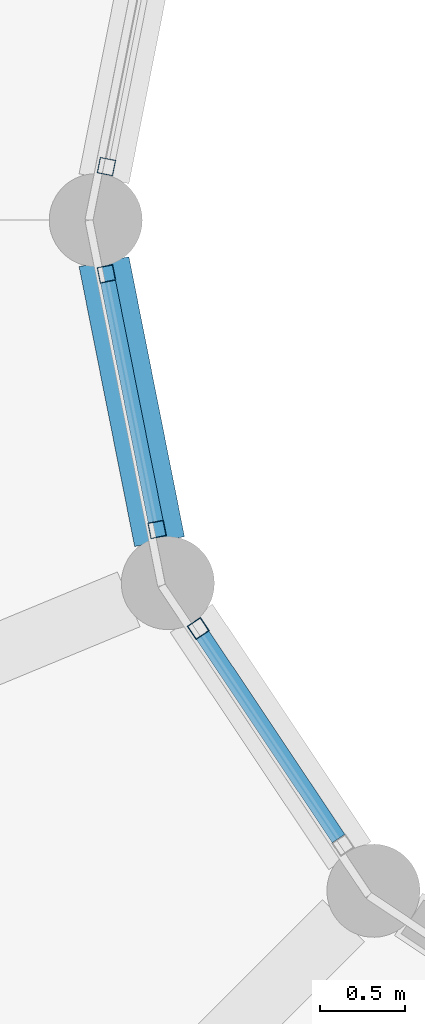
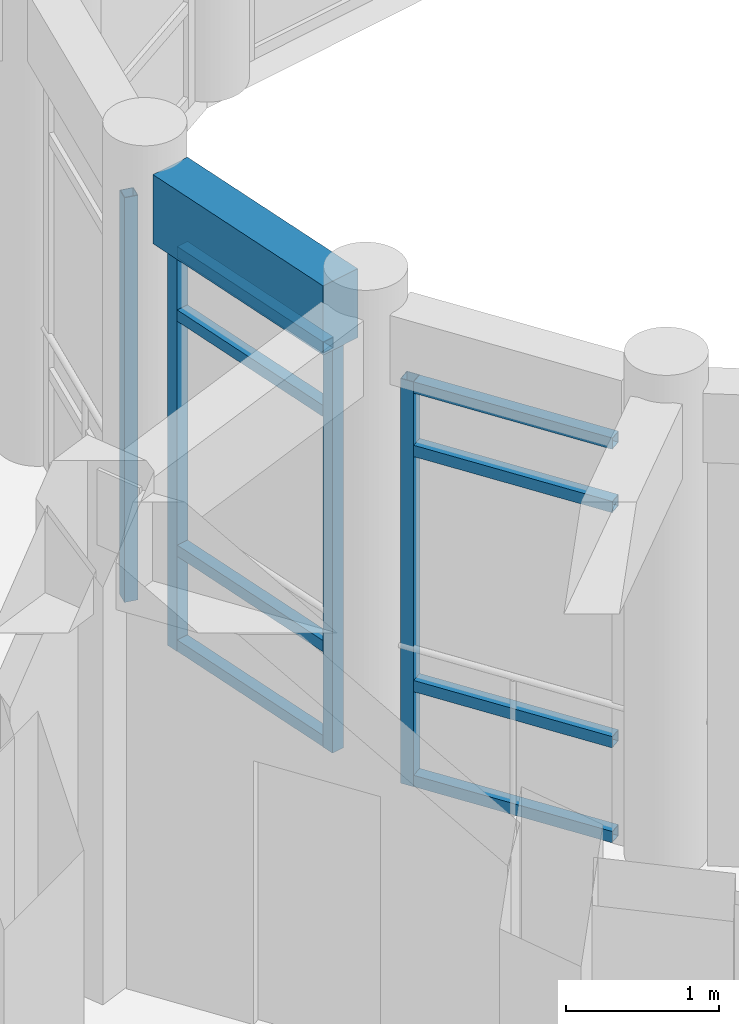
# One storey, part 53 of 159: 12 members, 1 beam, 3 elements without a shape of their own.
"""IFC4 building model written with IfcOpenShell, lengths in metres."""

from ifc_helpers import new_model, si_unit, direction, frame, origin, origin_2d, place, context, subcontext, project, spatial, rectangle, hollow_rectangle, extrude, material, material_profile, profile_set, type_object, element, aggregate, save


model = new_model("IFC4")

# Units and contexts
model_context = context("Model", 3, precision=1e-05, world=origin(), true_north=direction((0.0, 1.0)))
body_context = subcontext(model_context, "Body", "Model", "MODEL_VIEW")
ifc_project = project(units=[si_unit("LENGTHUNIT", "METRE"), si_unit("AREAUNIT", "SQUARE_METRE"), si_unit("VOLUMEUNIT", "CUBIC_METRE"), si_unit("PLANEANGLEUNIT", "RADIAN"), si_unit("MASSUNIT", "GRAM", prefix="KILO")], contexts=[model_context])

# Site, building, storey
site_placement = place(None, origin())
site = spatial("IfcSite", under=ifc_project, at=site_placement, CompositionType="ELEMENT")
building_placement = place(site_placement, origin())
building = spatial("IfcBuilding", under=site, at=building_placement, Name="Celadon Cloister-Ring School", CompositionType="ELEMENT")
storey_placement = place(building_placement, frame((0.0, 0.0, 4.5)))
storey = spatial("IfcBuildingStorey", under=building, at=storey_placement, Name="L01", CompositionType="ELEMENT", Elevation=4.5)

# Curtain wall, member
ifc_material_1 = material(Name="Aluminium EN AW-6063 T6", Category="aluminium")
curtain_wall_type = type_object("IfcCurtainWallType", Name="CW-04", PredefinedType="USERDEFINED", material=ifc_material_1)
curtain_wall_1_placement = place(storey_placement, origin())
curtain_wall_1 = element("IfcCurtainWall", 1, at=curtain_wall_1_placement, inside=storey, type_object=curtain_wall_type, Name="Curtain Wall 0096", ObjectType="CURTAIN WALL", PredefinedType="USERDEFINED")
ifc_material_2 = material(Name="Aluminium EN AW-6063 T6", Category="aluminium")
ifc_material_profile_1 = material_profile(ifc_material_2, hollow_rectangle(XDim=0.094970703125, YDim=0.094970703125, WallThickness=0.00390625, at=origin_2d()), Name="RHS95X95X4")
ifc_profile_set_1 = profile_set([ifc_material_profile_1], Name="Aluminium EN AW-6063 T6")
member_type_1 = type_object("IfcMemberType", Name="CM-02", PredefinedType="MULLION", material=ifc_profile_set_1)
member_1_placement = place(storey_placement, frame((14.663330078125, 97.316650390625, 0.0), z_axis=(0.0, 0.0, 1.0), x_axis=(0.980885435464, -0.194586131301, 0.0)))
member_1 = element("IfcMember", 2, at=member_1_placement, type_object=member_type_1, Name="CW-04 mullion 2", PredefinedType="MULLION", context=body_context, shape_type="SweptSolid", body=[
    extrude(hollow_rectangle(XDim=0.094970703125, YDim=0.094970703125, WallThickness=0.00390625, at=origin_2d()), origin(), (0.0, 0.0, 1.0), 3.221923828125),
])
aggregate(curtain_wall_1, [member_1])

# Curtain wall, members
curtain_wall_2_placement = place(storey_placement, origin())
curtain_wall_2 = element("IfcCurtainWall", 3, at=curtain_wall_2_placement, inside=storey, type_object=curtain_wall_type, Name="Curtain Wall 0097", ObjectType="CURTAIN WALL", PredefinedType="USERDEFINED")
member_2_placement = place(storey_placement, frame((14.663330078125, 96.683349609375, 0.0), z_axis=(0.0, 0.0, 1.0), x_axis=(0.980885435464, 0.194586131301, 0.0)))
member_2 = element("IfcMember", 4, at=member_2_placement, type_object=member_type_1, Name="CW-04 mullion 1", PredefinedType="MULLION", context=body_context, shape_type="SweptSolid", body=[
    extrude(hollow_rectangle(XDim=0.094970703125, YDim=0.094970703125, WallThickness=0.00390625, at=origin_2d()), origin(), (0.0, 0.0, 1.0), 3.221923828125),
])
member_3_placement = place(storey_placement, frame((14.962646484375, 95.173583984375, 0.0), z_axis=(0.0, 0.0, 1.0), x_axis=(0.980885435464, 0.194586131301, 0.0)))
member_3 = element("IfcMember", 5, at=member_3_placement, type_object=member_type_1, Name="CW-04 mullion 2", PredefinedType="MULLION", context=body_context, shape_type="SweptSolid", body=[
    extrude(hollow_rectangle(XDim=0.094970703125, YDim=0.094970703125, WallThickness=0.00390625, at=origin_2d()), origin(), (0.0, 0.0, 1.0), 3.221923828125),
])

# Curtain wall, member
curtain_wall_3_placement = place(storey_placement, origin())
curtain_wall_3 = element("IfcCurtainWall", 6, at=curtain_wall_3_placement, inside=storey, type_object=curtain_wall_type, Name="Curtain Wall 0098", ObjectType="CURTAIN WALL", PredefinedType="USERDEFINED")
member_4_placement = place(storey_placement, frame((15.205322265625, 94.588623046875, 0.0), z_axis=(0.0, 0.0, 1.0), x_axis=(0.831485091394, 0.555547066224, 0.0)))
member_4 = element("IfcMember", 7, at=member_4_placement, type_object=member_type_1, Name="CW-04 mullion 1", PredefinedType="MULLION", context=body_context, shape_type="SweptSolid", body=[
    extrude(hollow_rectangle(XDim=0.094970703125, YDim=0.094970703125, WallThickness=0.00390625, at=origin_2d()), origin(), (0.0, 0.0, 1.0), 3.221923828125),
])

# Member
ifc_material_3 = material(Name="Aluminium EN AW-6063 T6", Category="aluminium")
ifc_material_profile_2 = material_profile(ifc_material_3, hollow_rectangle(XDim=0.090087890625, YDim=0.090087890625, WallThickness=0.00390625, at=origin_2d()), Name="RHS90X90X4")
ifc_profile_set_2 = profile_set([ifc_material_profile_2], Name="Aluminium EN AW-6063 T6")
member_type_2 = type_object("IfcMemberType", Name="CTM-02", PredefinedType="USERDEFINED", material=ifc_profile_set_2)
member_5_placement = place(storey_placement, frame((14.672607421875, 96.63671875, 0.044921875), z_axis=(0.194587856315, -0.980885093257, 0.0), x_axis=(0.980885093257, 0.194587856315, 0.0)))
member_5 = element("IfcMember", 8, at=member_5_placement, type_object=member_type_2, Name="CW-04 transom 1.1", ObjectType="TRANSOM", PredefinedType="USERDEFINED", context=body_context, shape_type="SweptSolid", body=[
    extrude(hollow_rectangle(XDim=0.090087890625, YDim=0.090087890625, WallThickness=0.00390625, at=origin_2d()), origin(), (0.0, 0.0, 1.0), 1.444091796875),
])

member_6_placement = place(storey_placement, frame((14.672607421875, 96.63671875, 0.800048828125), z_axis=(0.194587856315, -0.980885093257, 0.0), x_axis=(0.980885093257, 0.194587856315, 0.0)))
member_6 = element("IfcMember", 9, at=member_6_placement, type_object=member_type_2, Name="CW-04 transom 1.2", ObjectType="TRANSOM", PredefinedType="USERDEFINED", context=body_context, shape_type="SweptSolid", body=[
    extrude(hollow_rectangle(XDim=0.090087890625, YDim=0.090087890625, WallThickness=0.00390625, at=origin_2d()), origin(), (0.0, 0.0, 1.0), 1.444091796875),
])

member_7_placement = place(storey_placement, frame((14.672607421875, 96.63671875, 2.672119140625), z_axis=(0.194587856315, -0.980885093257, 0.0), x_axis=(0.980885093257, 0.194587856315, 0.0)))
member_7 = element("IfcMember", 10, at=member_7_placement, type_object=member_type_2, Name="CW-04 transom 1.3", ObjectType="TRANSOM", PredefinedType="USERDEFINED", context=body_context, shape_type="SweptSolid", body=[
    extrude(hollow_rectangle(XDim=0.090087890625, YDim=0.090087890625, WallThickness=0.00390625, at=origin_2d()), origin(), (0.0, 0.0, 1.0), 1.444091796875),
])

member_8_placement = place(storey_placement, frame((14.672607421875, 96.63671875, 3.177001953125), z_axis=(0.194587856315, -0.980885093257, 0.0), x_axis=(0.980885093257, 0.194587856315, 0.0)))
member_8 = element("IfcMember", 11, at=member_8_placement, type_object=member_type_2, Name="CW-04 transom 1.4", ObjectType="TRANSOM", PredefinedType="USERDEFINED", context=body_context, shape_type="SweptSolid", body=[
    extrude(hollow_rectangle(XDim=0.090087890625, YDim=0.090087890625, WallThickness=0.00390625, at=origin_2d()), origin(), (0.0, 0.0, 1.0), 1.444091796875),
])

aggregate(curtain_wall_2, [member_2, member_3, member_5, member_6, member_7, member_8])

member_9_placement = place(storey_placement, frame((15.231689453125, 94.549072265625, 0.044921875), z_axis=(0.555518951009, -0.831503875559, 0.0), x_axis=(0.831503875559, 0.555518951009, 0.0)))
member_9 = element("IfcMember", 12, at=member_9_placement, type_object=member_type_2, Name="CW-04 transom 1.1", ObjectType="TRANSOM", PredefinedType="USERDEFINED", context=body_context, shape_type="SweptSolid", body=[
    extrude(hollow_rectangle(XDim=0.090087890625, YDim=0.090087890625, WallThickness=0.00390625, at=origin_2d()), origin(), (0.0, 0.0, 1.0), 1.444580078125),
])

member_10_placement = place(storey_placement, frame((15.231689453125, 94.549072265625, 0.800048828125), z_axis=(0.555518951009, -0.831503875559, 0.0), x_axis=(0.831503875559, 0.555518951009, 0.0)))
member_10 = element("IfcMember", 13, at=member_10_placement, type_object=member_type_2, Name="CW-04 transom 1.2", ObjectType="TRANSOM", PredefinedType="USERDEFINED", context=body_context, shape_type="SweptSolid", body=[
    extrude(hollow_rectangle(XDim=0.090087890625, YDim=0.090087890625, WallThickness=0.00390625, at=origin_2d()), origin(), (0.0, 0.0, 1.0), 1.444580078125),
])

member_11_placement = place(storey_placement, frame((15.231689453125, 94.549072265625, 2.672119140625), z_axis=(0.555518951009, -0.831503875559, 0.0), x_axis=(0.831503875559, 0.555518951009, 0.0)))
member_11 = element("IfcMember", 14, at=member_11_placement, type_object=member_type_2, Name="CW-04 transom 1.3", ObjectType="TRANSOM", PredefinedType="USERDEFINED", context=body_context, shape_type="SweptSolid", body=[
    extrude(hollow_rectangle(XDim=0.090087890625, YDim=0.090087890625, WallThickness=0.00390625, at=origin_2d()), origin(), (0.0, 0.0, 1.0), 1.444580078125),
])

member_12_placement = place(storey_placement, frame((15.231689453125, 94.549072265625, 3.177001953125), z_axis=(0.555518951009, -0.831503875559, 0.0), x_axis=(0.831503875559, 0.555518951009, 0.0)))
member_12 = element("IfcMember", 15, at=member_12_placement, type_object=member_type_2, Name="CW-04 transom 1.4", ObjectType="TRANSOM", PredefinedType="USERDEFINED", context=body_context, shape_type="SweptSolid", body=[
    extrude(hollow_rectangle(XDim=0.090087890625, YDim=0.090087890625, WallThickness=0.00390625, at=origin_2d()), origin(), (0.0, 0.0, 1.0), 1.444580078125),
])

aggregate(curtain_wall_3, [member_4, member_9, member_10, member_11, member_12])

# Beam
ifc_material_4 = material(Name="Concrete C35/45", Category="concrete")
ifc_material_profile_3 = material_profile(ifc_material_4, rectangle(XDim=0.300048828125, YDim=0.550048828125, at=origin_2d()), Name="RC300X550")
ifc_profile_set_3 = profile_set([ifc_material_profile_3], Name="Concrete C35/45")
beam_type = type_object("IfcBeamType", Name="SP-02", PredefinedType="SPANDREL", material=ifc_profile_set_3)
beam_placement = place(storey_placement, frame((14.64892578125, 96.7548828125, 3.5048828125), z_axis=(0.194722830887, -0.980858307367, 0.0), x_axis=(0.980858307367, 0.194722830887, 0.0)))
element("IfcBeam", 16, at=beam_placement, inside=storey, type_object=beam_type, Name="Beam 0711", PredefinedType="SPANDREL", context=body_context, shape_type="SweptSolid", body=[
    extrude(rectangle(XDim=0.300048828125, YDim=0.550048828125, at=origin_2d()), origin(), (0.0, 0.0, 1.0), 1.68505859375),
])

save(model, "model.ifc")
